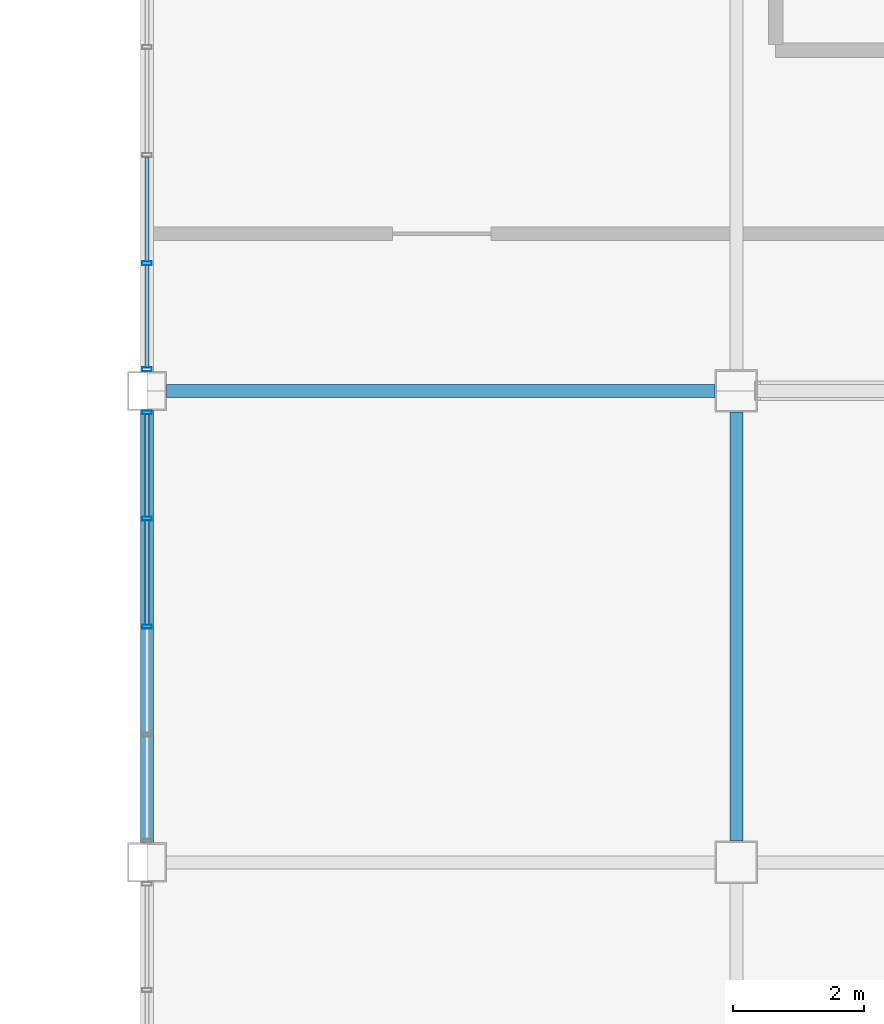
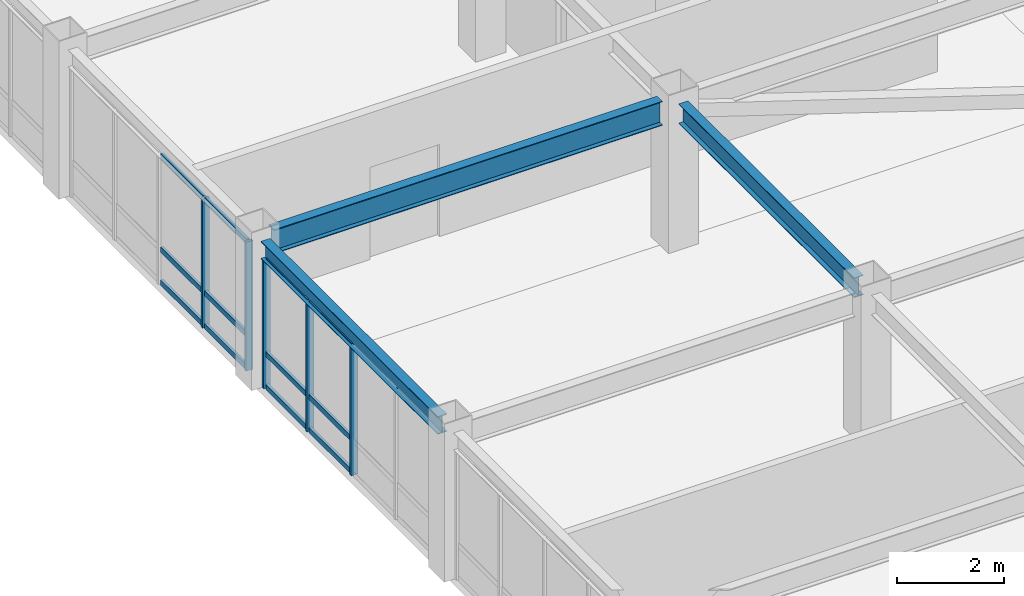
# One storey, part 16 of 34: 17 members, 3 beams, 2 elements without a shape of their own.
"""IFC4 building model written with IfcOpenShell, lengths in metres."""

from ifc_helpers import new_model, si_unit, direction, frame, origin, origin_2d, place, context, subcontext, project, spatial, hollow_rectangle, i_section, extrude, material, material_profile, profile_set, type_object, element, aggregate, save


model = new_model("IFC4")

# Units and contexts
model_context = context("Model", 3, precision=1e-05, world=origin(), true_north=direction((0.0, 1.0)))
body_context = subcontext(model_context, "Body", "Model", "MODEL_VIEW")
ifc_project = project(units=[si_unit("LENGTHUNIT", "METRE"), si_unit("AREAUNIT", "SQUARE_METRE"), si_unit("VOLUMEUNIT", "CUBIC_METRE"), si_unit("PLANEANGLEUNIT", "RADIAN"), si_unit("MASSUNIT", "GRAM", prefix="KILO")], contexts=[model_context])

# Site, building, storey
site_placement = place(None, origin())
site = spatial("IfcSite", under=ifc_project, at=site_placement, CompositionType="ELEMENT")
building_placement = place(site_placement, origin())
building = spatial("IfcBuilding", under=site, at=building_placement, Name="Kazanami Central Library", CompositionType="ELEMENT")
storey_placement = place(building_placement, frame((0.0, 0.0, 17.0)))
storey = spatial("IfcBuildingStorey", under=building, at=storey_placement, Name="L05", CompositionType="ELEMENT", Elevation=17.0)

# Beams
ifc_material_1 = material(Name="Steel SN490B (325 MPa)", Category="steel")
ifc_material_profile_1 = material_profile(ifc_material_1, i_section(OverallWidth=0.199951171875, OverallDepth=0.550048828125, WebThickness=0.010009765625, FlangeThickness=0.01611328125, at=origin_2d()), Name="H-550x200x10x16")
ifc_profile_set_1 = profile_set([ifc_material_profile_1], Name="Steel SN490B (325 MPa)")
beam_type_1 = type_object("IfcBeamType", Name="BM-G-X3", PredefinedType="BEAM", material=ifc_profile_set_1)
beam_1_placement = place(storey_placement, frame((117.298095703125, 72.0, 3.06494140625), z_axis=(1.0, 0.0, 0.0), x_axis=(0.0, 1.0, 0.0)))
element("IfcBeam", 1, at=beam_1_placement, inside=storey, type_object=beam_type_1, Name="Girder G-X3 L05 L/14-15", PredefinedType="BEAM", context=body_context, shape_type="SweptSolid", body=[
    extrude(i_section(OverallWidth=0.199951171875, OverallDepth=0.550048828125, WebThickness=0.010009765625, FlangeThickness=0.01611328125, at=origin_2d()), origin(), (0.0, 0.0, 1.0), 8.37890625),
])
ifc_material_profile_2 = material_profile(ifc_material_1, i_section(OverallWidth=0.199951171875, OverallDepth=0.449951171875, WebThickness=0.009033203125, FlangeThickness=0.013916015625, at=origin_2d()), Name="H-450x200x9x14")
ifc_profile_set_2 = profile_set([ifc_material_profile_2], Name="Steel SN490B (325 MPa)")
beam_type_2 = type_object("IfcBeamType", Name="BM-G-Y3", PredefinedType="BEAM", material=ifc_profile_set_2)
beam_2_placement = place(storey_placement, frame((126.0, 65.123046875, 3.114990234375), z_axis=(0.0, 1.0, 0.0), x_axis=(-1.0, 0.0, 0.0)))
element("IfcBeam", 2, at=beam_2_placement, inside=storey, type_object=beam_type_2, Name="Girder G-Y3 L05 15/K-L", PredefinedType="BEAM", context=body_context, shape_type="SweptSolid", body=[
    extrude(i_section(OverallWidth=0.199951171875, OverallDepth=0.449951171875, WebThickness=0.009033203125, FlangeThickness=0.013916015625, at=origin_2d()), origin(), (0.0, 0.0, 1.0), 6.553955078125),
])
ifc_material_profile_3 = material_profile(ifc_material_1, i_section(OverallWidth=0.199951171875, OverallDepth=0.39990234375, WebThickness=0.008056640625, FlangeThickness=0.012939453125, at=origin_2d()), Name="H-400x200x8x13")
ifc_profile_set_3 = profile_set([ifc_material_profile_3], Name="Steel SN490B (325 MPa)")
beam_type_3 = type_object("IfcBeamType", Name="BM-SP-3", PredefinedType="SPANDREL", material=ifc_profile_set_3)
beam_3_placement = place(storey_placement, frame((117.0, 65.097900390625, 3.139892578125), z_axis=(0.0, 1.0, 0.0), x_axis=(-1.0, 0.0, 0.0)))
element("IfcBeam", 3, at=beam_3_placement, inside=storey, type_object=beam_type_3, Name="Girder SP-3 L05 14/K-L", PredefinedType="SPANDREL", context=body_context, shape_type="SweptSolid", body=[
    extrude(i_section(OverallWidth=0.199951171875, OverallDepth=0.39990234375, WebThickness=0.008056640625, FlangeThickness=0.012939453125, at=origin_2d()), origin(), (0.0, 0.0, 1.0), 6.60400390625),
])

# Curtain wall, members
ifc_material_2 = material(Name="Acid-Etched Low-E Laminated Glass", Category="glass")
curtain_wall_type = type_object("IfcCurtainWallType", Name="CW-6600x2940-M180", PredefinedType="USERDEFINED", material=ifc_material_2)
curtain_wall_1_placement = place(storey_placement, origin())
curtain_wall_1 = element("IfcCurtainWall", 4, at=curtain_wall_1_placement, inside=storey, type_object=curtain_wall_type, Name="Covered Link Bridge Curtain Wall CW-54 L05 W-14-09", ObjectType="UNITISED CURTAIN WALL", PredefinedType="USERDEFINED")
ifc_material_3 = material(Name="Anodised Aluminium A6063-T5", Category="aluminium")
ifc_material_profile_4 = material_profile(ifc_material_3, hollow_rectangle(XDim=0.06005859375, YDim=0.14990234375, WallThickness=0.00390625, at=origin_2d()), Name="ALU-MULL-60x150x4")
ifc_profile_set_4 = profile_set([ifc_material_profile_4], Name="Anodised Aluminium A6063-T5")
member_type_1 = type_object("IfcMemberType", Name="MEM-CW-M3", PredefinedType="MULLION", material=ifc_profile_set_4)
member_1_placement = place(storey_placement, frame((117.0, 68.39990234375, 0.0), z_axis=(0.0, 0.0, 1.0), x_axis=(0.0, 1.0, 0.0)))
member_1 = element("IfcMember", 5, at=member_1_placement, type_object=member_type_1, Name="CW-54 mullion 3", PredefinedType="MULLION", context=body_context, shape_type="SweptSolid", body=[
    extrude(hollow_rectangle(XDim=0.06005859375, YDim=0.14990234375, WallThickness=0.00390625, at=origin_2d()), origin(), (0.0, 0.0, 1.0), 2.93994140625),
])
member_2_placement = place(storey_placement, frame((117.0, 70.050048828125, 0.0), z_axis=(0.0, 0.0, 1.0), x_axis=(0.0, 1.0, 0.0)))
member_2 = element("IfcMember", 6, at=member_2_placement, type_object=member_type_1, Name="CW-54 mullion 4", PredefinedType="MULLION", context=body_context, shape_type="SweptSolid", body=[
    extrude(hollow_rectangle(XDim=0.06005859375, YDim=0.14990234375, WallThickness=0.00390625, at=origin_2d()), origin(), (0.0, 0.0, 1.0), 2.93994140625),
])
member_3_placement = place(storey_placement, frame((117.0, 71.669921875, 0.0), z_axis=(0.0, 0.0, 1.0), x_axis=(0.0, 1.0, 0.0)))
member_3 = element("IfcMember", 7, at=member_3_placement, type_object=member_type_1, Name="CW-54 mullion 5", PredefinedType="MULLION", context=body_context, shape_type="SweptSolid", body=[
    extrude(hollow_rectangle(XDim=0.06005859375, YDim=0.14990234375, WallThickness=0.00390625, at=origin_2d()), origin(), (0.0, 0.0, 1.0), 2.93994140625),
])

curtain_wall_2_placement = place(storey_placement, origin())
curtain_wall_2 = element("IfcCurtainWall", 8, at=curtain_wall_2_placement, inside=storey, type_object=curtain_wall_type, Name="Covered Link Bridge Curtain Wall CW-54 L05 W-14-10", ObjectType="UNITISED CURTAIN WALL", PredefinedType="USERDEFINED")
member_4_placement = place(storey_placement, frame((117.0, 72.330078125, 0.0), z_axis=(0.0, 0.0, 1.0), x_axis=(0.0, 1.0, 0.0)))
member_4 = element("IfcMember", 9, at=member_4_placement, type_object=member_type_1, Name="CW-54 mullion 1", PredefinedType="MULLION", context=body_context, shape_type="SweptSolid", body=[
    extrude(hollow_rectangle(XDim=0.06005859375, YDim=0.14990234375, WallThickness=0.00390625, at=origin_2d()), origin(), (0.0, 0.0, 1.0), 2.93994140625),
])
member_5_placement = place(storey_placement, frame((117.0, 73.949951171875, 0.0), z_axis=(0.0, 0.0, 1.0), x_axis=(0.0, 1.0, 0.0)))
member_5 = element("IfcMember", 10, at=member_5_placement, type_object=member_type_1, Name="CW-54 mullion 2", PredefinedType="MULLION", context=body_context, shape_type="SweptSolid", body=[
    extrude(hollow_rectangle(XDim=0.06005859375, YDim=0.14990234375, WallThickness=0.00390625, at=origin_2d()), origin(), (0.0, 0.0, 1.0), 2.93994140625),
])

# Member
ifc_material_profile_5 = material_profile(ifc_material_3, hollow_rectangle(XDim=0.06005859375, YDim=0.1201171875, WallThickness=0.00341796875, at=origin_2d()), Name="ALU-TRAN-60x120x3.5")
ifc_profile_set_5 = profile_set([ifc_material_profile_5], Name="Anodised Aluminium A6063-T5")
member_type_2 = type_object("IfcMemberType", Name="MEM-CW-T3", PredefinedType="USERDEFINED", material=ifc_profile_set_5)
member_6_placement = place(storey_placement, frame((117.0, 68.429931640625, 0.030029296875), z_axis=(0.0, 1.0, 0.0), x_axis=(-1.0, 0.0, 0.0)))
member_6 = element("IfcMember", 11, at=member_6_placement, type_object=member_type_2, Name="CW-54 transom 3.1", ObjectType="TRANSOM", PredefinedType="USERDEFINED", context=body_context, shape_type="SweptSolid", body=[
    extrude(hollow_rectangle(XDim=0.06005859375, YDim=0.1201171875, WallThickness=0.00341796875, at=origin_2d()), origin(), (0.0, 0.0, 1.0), 1.590087890625),
])

member_7_placement = place(storey_placement, frame((117.0, 68.429931640625, 0.780029296875), z_axis=(0.0, 1.0, 0.0), x_axis=(-1.0, 0.0, 0.0)))
member_7 = element("IfcMember", 12, at=member_7_placement, type_object=member_type_2, Name="CW-54 transom 3.2", ObjectType="TRANSOM", PredefinedType="USERDEFINED", context=body_context, shape_type="SweptSolid", body=[
    extrude(hollow_rectangle(XDim=0.06005859375, YDim=0.1201171875, WallThickness=0.00341796875, at=origin_2d()), origin(), (0.0, 0.0, 1.0), 1.590087890625),
])

member_8_placement = place(storey_placement, frame((117.0, 68.429931640625, 2.909912109375), z_axis=(0.0, 1.0, 0.0), x_axis=(-1.0, 0.0, 0.0)))
member_8 = element("IfcMember", 13, at=member_8_placement, type_object=member_type_2, Name="CW-54 transom 3.3", ObjectType="TRANSOM", PredefinedType="USERDEFINED", context=body_context, shape_type="SweptSolid", body=[
    extrude(hollow_rectangle(XDim=0.06005859375, YDim=0.1201171875, WallThickness=0.00341796875, at=origin_2d()), origin(), (0.0, 0.0, 1.0), 1.590087890625),
])

member_9_placement = place(storey_placement, frame((117.0, 70.080078125, 0.030029296875), z_axis=(0.0, 1.0, 0.0), x_axis=(-1.0, 0.0, 0.0)))
member_9 = element("IfcMember", 14, at=member_9_placement, type_object=member_type_2, Name="CW-54 transom 4.1", ObjectType="TRANSOM", PredefinedType="USERDEFINED", context=body_context, shape_type="SweptSolid", body=[
    extrude(hollow_rectangle(XDim=0.06005859375, YDim=0.1201171875, WallThickness=0.00341796875, at=origin_2d()), origin(), (0.0, 0.0, 1.0), 1.559814453125),
])

member_10_placement = place(storey_placement, frame((117.0, 70.080078125, 0.780029296875), z_axis=(0.0, 1.0, 0.0), x_axis=(-1.0, 0.0, 0.0)))
member_10 = element("IfcMember", 15, at=member_10_placement, type_object=member_type_2, Name="CW-54 transom 4.2", ObjectType="TRANSOM", PredefinedType="USERDEFINED", context=body_context, shape_type="SweptSolid", body=[
    extrude(hollow_rectangle(XDim=0.06005859375, YDim=0.1201171875, WallThickness=0.00341796875, at=origin_2d()), origin(), (0.0, 0.0, 1.0), 1.559814453125),
])

member_11_placement = place(storey_placement, frame((117.0, 70.080078125, 2.909912109375), z_axis=(0.0, 1.0, 0.0), x_axis=(-1.0, 0.0, 0.0)))
member_11 = element("IfcMember", 16, at=member_11_placement, type_object=member_type_2, Name="CW-54 transom 4.3", ObjectType="TRANSOM", PredefinedType="USERDEFINED", context=body_context, shape_type="SweptSolid", body=[
    extrude(hollow_rectangle(XDim=0.06005859375, YDim=0.1201171875, WallThickness=0.00341796875, at=origin_2d()), origin(), (0.0, 0.0, 1.0), 1.559814453125),
])

aggregate(curtain_wall_1, [member_1, member_2, member_3, member_6, member_7, member_8, member_9, member_10, member_11])

member_12_placement = place(storey_placement, frame((117.0, 72.360107421875, 0.030029296875), z_axis=(0.0, 1.0, 0.0), x_axis=(-1.0, 0.0, 0.0)))
member_12 = element("IfcMember", 17, at=member_12_placement, type_object=member_type_2, Name="CW-54 transom 1.1", ObjectType="TRANSOM", PredefinedType="USERDEFINED", context=body_context, shape_type="SweptSolid", body=[
    extrude(hollow_rectangle(XDim=0.06005859375, YDim=0.1201171875, WallThickness=0.00341796875, at=origin_2d()), origin(), (0.0, 0.0, 1.0), 1.559814453125),
])

member_13_placement = place(storey_placement, frame((117.0, 72.360107421875, 0.780029296875), z_axis=(0.0, 1.0, 0.0), x_axis=(-1.0, 0.0, 0.0)))
member_13 = element("IfcMember", 18, at=member_13_placement, type_object=member_type_2, Name="CW-54 transom 1.2", ObjectType="TRANSOM", PredefinedType="USERDEFINED", context=body_context, shape_type="SweptSolid", body=[
    extrude(hollow_rectangle(XDim=0.06005859375, YDim=0.1201171875, WallThickness=0.00341796875, at=origin_2d()), origin(), (0.0, 0.0, 1.0), 1.559814453125),
])

member_14_placement = place(storey_placement, frame((117.0, 72.360107421875, 2.909912109375), z_axis=(0.0, 1.0, 0.0), x_axis=(-1.0, 0.0, 0.0)))
member_14 = element("IfcMember", 19, at=member_14_placement, type_object=member_type_2, Name="CW-54 transom 1.3", ObjectType="TRANSOM", PredefinedType="USERDEFINED", context=body_context, shape_type="SweptSolid", body=[
    extrude(hollow_rectangle(XDim=0.06005859375, YDim=0.1201171875, WallThickness=0.00341796875, at=origin_2d()), origin(), (0.0, 0.0, 1.0), 1.559814453125),
])

member_15_placement = place(storey_placement, frame((117.0, 73.97998046875, 0.030029296875), z_axis=(0.0, 1.0, 0.0), x_axis=(-1.0, 0.0, 0.0)))
member_15 = element("IfcMember", 20, at=member_15_placement, type_object=member_type_2, Name="CW-54 transom 2.1", ObjectType="TRANSOM", PredefinedType="USERDEFINED", context=body_context, shape_type="SweptSolid", body=[
    extrude(hollow_rectangle(XDim=0.06005859375, YDim=0.1201171875, WallThickness=0.00341796875, at=origin_2d()), origin(), (0.0, 0.0, 1.0), 1.590087890625),
])

member_16_placement = place(storey_placement, frame((117.0, 73.97998046875, 0.780029296875), z_axis=(0.0, 1.0, 0.0), x_axis=(-1.0, 0.0, 0.0)))
member_16 = element("IfcMember", 21, at=member_16_placement, type_object=member_type_2, Name="CW-54 transom 2.2", ObjectType="TRANSOM", PredefinedType="USERDEFINED", context=body_context, shape_type="SweptSolid", body=[
    extrude(hollow_rectangle(XDim=0.06005859375, YDim=0.1201171875, WallThickness=0.00341796875, at=origin_2d()), origin(), (0.0, 0.0, 1.0), 1.590087890625),
])

member_17_placement = place(storey_placement, frame((117.0, 73.97998046875, 2.909912109375), z_axis=(0.0, 1.0, 0.0), x_axis=(-1.0, 0.0, 0.0)))
member_17 = element("IfcMember", 22, at=member_17_placement, type_object=member_type_2, Name="CW-54 transom 2.3", ObjectType="TRANSOM", PredefinedType="USERDEFINED", context=body_context, shape_type="SweptSolid", body=[
    extrude(hollow_rectangle(XDim=0.06005859375, YDim=0.1201171875, WallThickness=0.00341796875, at=origin_2d()), origin(), (0.0, 0.0, 1.0), 1.590087890625),
])

aggregate(curtain_wall_2, [member_4, member_5, member_12, member_13, member_14, member_15, member_16, member_17])

save(model, "model.ifc")
